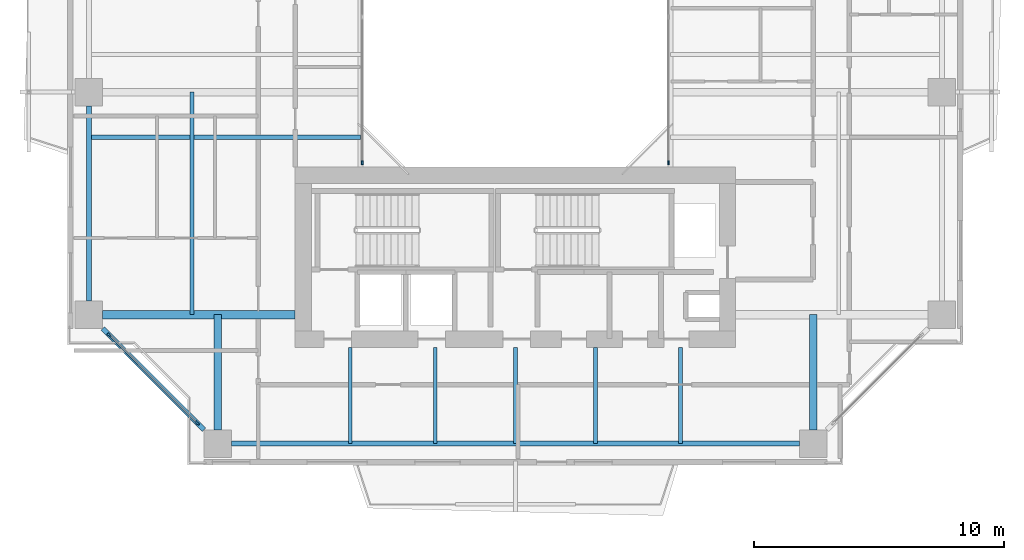
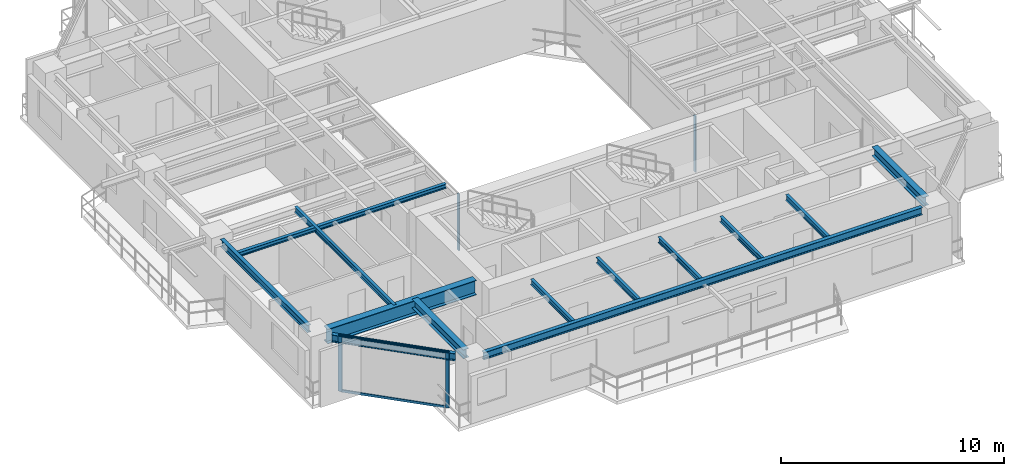
# One storey, part 2 of 17: 13 beams, 6 members, 3 elements without a shape of their own.
"""IFC4 building model written with IfcOpenShell, lengths in metres."""

from ifc_helpers import new_model, si_unit, direction, frame, origin, origin_2d, place, context, subcontext, project, spatial, rectangle, i_section, extrude, source, transform, mapped, material, layer, layer_set, material_profile, profile_set, type_object, element, aggregate, save


model = new_model("IFC4")

# Units and contexts
model_context = context("Model", 3, precision=1e-05, world=origin(), true_north=direction((0.0, 1.0)))
body_context = subcontext(model_context, "Body", "Model", "MODEL_VIEW")
ifc_project = project(units=[si_unit("LENGTHUNIT", "METRE"), si_unit("AREAUNIT", "SQUARE_METRE"), si_unit("VOLUMEUNIT", "CUBIC_METRE"), si_unit("PLANEANGLEUNIT", "RADIAN"), si_unit("MASSUNIT", "GRAM", prefix="KILO"), si_unit("THERMODYNAMICTEMPERATUREUNIT", "KELVIN"), si_unit("POWERUNIT", "WATT")], contexts=[model_context])

# Site, building, storey
site_placement = place(None, origin())
site = spatial("IfcSite", under=ifc_project, at=site_placement, CompositionType="ELEMENT")
building_placement = place(site_placement, origin())
building = spatial("IfcBuilding", under=site, at=building_placement, Name="Qiaomeng Ring Towers", CompositionType="ELEMENT")
storey_placement = place(building_placement, frame((0.0, 0.0, 129.5)))
storey = spatial("IfcBuildingStorey", under=building, at=storey_placement, Name="L37", CompositionType="ELEMENT", Elevation=129.5)

# Beams
ifc_material_1 = material(Name="Steel Q355B", Category="steel")
ifc_material_profile_1 = material_profile(ifc_material_1, i_section(OverallWidth=0.199951171875, OverallDepth=0.39990234375, WebThickness=0.008056640625, FlangeThickness=0.012939453125, FilletRadius=0.01611328125, at=origin_2d()), Name="HN 400x200x8x13")
ifc_profile_set_1 = profile_set([ifc_material_profile_1], Name="Steel Q355B")
beam_type_1 = type_object("IfcBeamType", Name="STR-BM-HN400", PredefinedType="SPANDREL", material=ifc_profile_set_1)
shared_shape_1 = source(origin(), body_context, "Body", "SweptSolid", [
    extrude(i_section(OverallWidth=0.199951171875, OverallDepth=0.39990234375, WebThickness=0.008056640625, FlangeThickness=0.012939453125, FilletRadius=0.01611328125, at=origin_2d()), origin(), (0.0, 0.0, 1.0), 22.7021484375),
])
beam_1_placement = place(storey_placement, frame((7.64892578125, 5.949951171875, 2.8701171875), z_axis=(1.0, 0.0, 0.0), x_axis=(0.0, 1.0, 0.0)))
element("IfcBeam", 1, at=beam_1_placement, inside=storey, type_object=beam_type_1, Name="L37 beam STR-SP-L37-T1-S1-S2", PredefinedType="SPANDREL", context=body_context, shape_type="MappedRepresentation", body=[
    mapped(shared_shape_1, transform((0.0, 0.0, 0.0), x_axis=(1.0, 0.0, 0.0), y_axis=(0.0, 1.0, 0.0), z_axis=(0.0, 0.0, 1.0), scale=1.0)),
])
shared_shape_2 = source(origin(), body_context, "Body", "SweptSolid", [
    extrude(i_section(OverallWidth=0.199951171875, OverallDepth=0.39990234375, WebThickness=0.008056640625, FlangeThickness=0.012939453125, FilletRadius=0.01611328125, at=origin_2d()), origin(), (0.0, 0.0, 1.0), 5.729736328125),
])
beam_2_placement = place(storey_placement, frame((2.499267578125, 10.55078125, 2.8701171875), z_axis=(0.707106781187, -0.707106781187, 0.0), x_axis=(0.707106781187, 0.707106781187, 0.0)))
element("IfcBeam", 2, at=beam_2_placement, inside=storey, type_object=beam_type_1, Name="L37 beam STR-SP-L37-T1-W1-S1", PredefinedType="SPANDREL", context=body_context, shape_type="MappedRepresentation", body=[
    mapped(shared_shape_2, transform((0.0, 0.0, 0.0), x_axis=(1.0, 0.0, 0.0), y_axis=(0.0, 1.0, 0.0), z_axis=(0.0, 0.0, 1.0), scale=1.0)),
])
shared_shape_3 = source(origin(), body_context, "Body", "SweptSolid", [
    extrude(i_section(OverallWidth=0.199951171875, OverallDepth=0.39990234375, WebThickness=0.008056640625, FlangeThickness=0.012939453125, FilletRadius=0.01611328125, at=origin_2d()), origin(), (0.0, 0.0, 1.0), 7.802001953125),
])
beam_3_placement = place(storey_placement, frame((1.949951171875, 19.450927734375, 2.8701171875), z_axis=(0.0, -1.0, 0.0), x_axis=(1.0, 0.0, 0.0)))
element("IfcBeam", 3, at=beam_3_placement, inside=storey, type_object=beam_type_1, Name="L37 beam STR-SP-L37-T1-W2-W1", PredefinedType="SPANDREL", context=body_context, shape_type="MappedRepresentation", body=[
    mapped(shared_shape_3, transform((0.0, 0.0, 0.0), x_axis=(1.0, 0.0, 0.0), y_axis=(0.0, 1.0, 0.0), z_axis=(0.0, 0.0, 1.0), scale=1.0)),
])
ifc_material_2 = material(Name="Steel Q390GJC", Category="steel")
ifc_material_profile_2 = material_profile(ifc_material_2, i_section(OverallWidth=0.35009765625, OverallDepth=0.800048828125, WebThickness=0.01611328125, FlangeThickness=0.028076171875, at=origin_2d()), Name="WH 800x350x16x28")
ifc_profile_set_2 = profile_set([ifc_material_profile_2], Name="Steel Q390GJC")
beam_type_2 = type_object("IfcBeamType", Name="STR-BM-WH800", PredefinedType="BEAM", material=ifc_profile_set_2)
shared_shape_4 = source(origin(), body_context, "Body", "SweptSolid", [
    extrude(i_section(OverallWidth=0.35009765625, OverallDepth=0.800048828125, WebThickness=0.01611328125, FlangeThickness=0.028076171875, at=origin_2d()), origin(), (0.0, 0.0, 1.0), 7.700927734375),
])
beam_4_placement = place(storey_placement, frame((2.4990234375, 11.10009765625, 2.669921875), z_axis=(1.0, 0.0, 0.0), x_axis=(0.0, 1.0, 0.0)))
element("IfcBeam", 4, at=beam_4_placement, inside=storey, type_object=beam_type_2, Name="L37 beam STR-BM-L37-T1-RAD-W1", PredefinedType="BEAM", context=body_context, shape_type="MappedRepresentation", body=[
    mapped(shared_shape_4, transform((0.0, 0.0, 0.0), x_axis=(1.0, 0.0, 0.0), y_axis=(0.0, 1.0, 0.0), z_axis=(0.0, 0.0, 1.0), scale=1.0)),
])
ifc_material_profile_3 = material_profile(ifc_material_1, i_section(OverallWidth=0.300048828125, OverallDepth=0.488037109375, WebThickness=0.010986328125, FlangeThickness=0.01806640625, FilletRadius=0.02587890625, at=origin_2d()), Name="HM 488x300x11x18")
ifc_profile_set_3 = profile_set([ifc_material_profile_3], Name="Steel Q355B")
beam_type_3 = type_object("IfcBeamType", Name="STR-BM-HM488", PredefinedType="BEAM", material=ifc_profile_set_3)
shared_shape_5 = source(origin(), body_context, "Body", "SweptSolid", [
    extrude(i_section(OverallWidth=0.300048828125, OverallDepth=0.488037109375, WebThickness=0.010986328125, FlangeThickness=0.01806640625, FilletRadius=0.02587890625, at=origin_2d()), origin(), (0.0, 0.0, 1.0), 4.60107421875),
])
for number, where, z_axis, x_axis, name in (
    (5, (7.10009765625, 6.4990234375, 2.825927734375), (0.0, 1.0, 0.0), (-1.0, 0.0, 0.0), "L37 beam STR-BM-L37-T1-RAD-S1"),
    (6, (30.89990234375, 6.4990234375, 2.825927734375), (0.0, 1.0, 0.0), (-1.0, 0.0, 0.0), "L37 beam STR-BM-L37-T1-RAD-S2"),
):
    element("IfcBeam", number, at=place(storey_placement, frame(where, z_axis=z_axis, x_axis=x_axis)), inside=storey, type_object=beam_type_3, Name=name, PredefinedType="BEAM", context=body_context, shape_type="MappedRepresentation", body=[
        mapped(shared_shape_5, transform((0.0, 0.0, 0.0), x_axis=(1.0, 0.0, 0.0), y_axis=(0.0, 1.0, 0.0), z_axis=(0.0, 0.0, 1.0), scale=1.0)),
    ])
ifc_material_profile_4 = material_profile(ifc_material_1, i_section(OverallWidth=0.14990234375, OverallDepth=0.300048828125, WebThickness=0.006591796875, FlangeThickness=0.009033203125, FilletRadius=0.012939453125, at=origin_2d()), Name="HN 300x150x6.5x9")
ifc_profile_set_4 = profile_set([ifc_material_profile_4], Name="Steel Q355B")
beam_type_4 = type_object("IfcBeamType", Name="STR-BM-HN300", PredefinedType="JOIST", material=ifc_profile_set_4)
shared_shape_6 = source(origin(), body_context, "Body", "SweptSolid", [
    extrude(i_section(OverallWidth=0.14990234375, OverallDepth=0.300048828125, WebThickness=0.006591796875, FlangeThickness=0.009033203125, FilletRadius=0.012939453125, at=origin_2d()), origin(), (0.0, 0.0, 1.0), 3.85009765625),
])
for number, where, z_axis, x_axis, name in (
    (7, (12.39990234375, 5.949951171875, 2.919921875), (0.0, 1.0, 0.0), (-1.0, 0.0, 0.0), "L37 beam STR-JST-L37-T1S-1"),
    (8, (15.800048828125, 5.949951171875, 2.919921875), (0.0, 1.0, 0.0), (-1.0, 0.0, 0.0), "L37 beam STR-JST-L37-T1S-2"),
    (9, (19.0, 5.949951171875, 2.919921875), (0.0, 1.0, 0.0), (-1.0, 0.0, 0.0), "L37 beam STR-JST-L37-T1S-3"),
    (10, (22.199951171875, 5.949951171875, 2.919921875), (0.0, 1.0, 0.0), (-1.0, 0.0, 0.0), "L37 beam STR-JST-L37-T1S-4"),
    (11, (25.60009765625, 5.949951171875, 2.919921875), (0.0, 1.0, 0.0), (-1.0, 0.0, 0.0), "L37 beam STR-JST-L37-T1S-5"),
):
    element("IfcBeam", number, at=place(storey_placement, frame(where, z_axis=z_axis, x_axis=x_axis)), inside=storey, type_object=beam_type_4, Name=name, PredefinedType="JOIST", context=body_context, shape_type="MappedRepresentation", body=[
        mapped(shared_shape_6, transform((0.0, 0.0, 0.0), x_axis=(1.0, 0.0, 0.0), y_axis=(0.0, 1.0, 0.0), z_axis=(0.0, 0.0, 1.0), scale=1.0)),
    ])
ifc_material_profile_5 = material_profile(ifc_material_1, i_section(OverallWidth=0.175048828125, OverallDepth=0.243896484375, WebThickness=0.007080078125, FlangeThickness=0.010986328125, FilletRadius=0.01611328125, at=origin_2d()), Name="HM 244x175x7x11")
ifc_profile_set_5 = profile_set([ifc_material_profile_5], Name="Steel Q355B")
beam_type_5 = type_object("IfcBeamType", Name="STR-BM-HM244", PredefinedType="JOIST", material=ifc_profile_set_5)
shared_shape_7 = source(origin(), body_context, "Body", "SweptSolid", [
    extrude(i_section(OverallWidth=0.175048828125, OverallDepth=0.243896484375, WebThickness=0.007080078125, FlangeThickness=0.010986328125, FilletRadius=0.01611328125, at=origin_2d()), origin(), (0.0, 0.0, 1.0), 10.85009765625),
])
beam_5_placement = place(storey_placement, frame((1.949951171875, 18.199951171875, 2.947998046875), z_axis=(1.0, 0.0, 0.0), x_axis=(0.0, 1.0, 0.0)))
element("IfcBeam", 12, at=beam_5_placement, inside=storey, type_object=beam_type_5, Name="L37 beam STR-JST-L37-T1W-1", PredefinedType="JOIST", context=body_context, shape_type="MappedRepresentation", body=[
    mapped(shared_shape_7, transform((0.0, 0.0, 0.0), x_axis=(1.0, 0.0, 0.0), y_axis=(0.0, 1.0, 0.0), z_axis=(0.0, 0.0, 1.0), scale=1.0)),
])
shared_shape_8 = source(origin(), body_context, "Body", "SweptSolid", [
    extrude(i_section(OverallWidth=0.14990234375, OverallDepth=0.300048828125, WebThickness=0.006591796875, FlangeThickness=0.009033203125, FilletRadius=0.012939453125, at=origin_2d()), origin(), (0.0, 0.0, 1.0), 8.89990234375),
])
beam_6_placement = place(storey_placement, frame((6.074951171875, 11.10009765625, 2.919921875), z_axis=(0.0, 1.0, 0.0), x_axis=(-1.0, 0.0, 0.0)))
element("IfcBeam", 13, at=beam_6_placement, inside=storey, type_object=beam_type_4, Name="L37 beam STR-JST-L37-T1C-WS", PredefinedType="JOIST", context=body_context, shape_type="MappedRepresentation", body=[
    mapped(shared_shape_8, transform((0.0, 0.0, 0.0), x_axis=(1.0, 0.0, 0.0), y_axis=(0.0, 1.0, 0.0), z_axis=(0.0, 0.0, 1.0), scale=1.0)),
])

# Curtain wall, member
ifc_material_3 = material(Name="Fluorocarbon dark-grey aluminium", Category="aluminium")
ifc_layer_1 = layer(ifc_material_3, 0.139892578125, Name="Fluorocarbon dark-grey aluminium")
ifc_layer_set_1 = layer_set([ifc_layer_1], Name="Fluorocarbon dark-grey aluminium")
curtain_wall_type_1 = type_object("IfcCurtainWallType", Name="ARC-CW-4", PredefinedType="NOTDEFINED", material=ifc_layer_set_1)
curtain_wall_1_placement = place(storey_placement, origin())
curtain_wall_1 = element("IfcCurtainWall", 14, at=curtain_wall_1_placement, inside=storey, type_object=curtain_wall_type_1, Name="L37 Curtain Wall CW4", PredefinedType="NOTDEFINED")
ifc_material_profile_6 = material_profile(ifc_material_3, rectangle(XDim=0.06494140625, YDim=0.159912109375, at=origin_2d()), Name="ALU MULL 65x160")
ifc_profile_set_6 = profile_set([ifc_material_profile_6], Name="Fluorocarbon dark-grey aluminium")
member_type_1 = type_object("IfcMemberType", Name="ARC-CWM-140", PredefinedType="MULLION", material=ifc_profile_set_6)
shared_shape_9 = source(origin(), body_context, "Body", "SweptSolid", [
    extrude(rectangle(XDim=0.06494140625, YDim=0.159912109375, at=origin_2d()), origin(), (0.0, 0.0, 1.0), 3.070068359375),
])
member_1_placement = place(storey_placement, frame((12.8798828125, 17.1826171875, 0.0), z_axis=(0.0, 0.0, 1.0), x_axis=(-1.0, 0.0, 0.0)))
member_1 = element("IfcMember", 15, at=member_1_placement, type_object=member_type_1, Name="CW4 mullion 1", PredefinedType="MULLION", context=body_context, shape_type="MappedRepresentation", body=[
    mapped(shared_shape_9, transform((0.0, 0.0, 0.0), x_axis=(1.0, 0.0, 0.0), y_axis=(0.0, 1.0, 0.0), z_axis=(0.0, 0.0, 1.0), scale=1.0)),
])
aggregate(curtain_wall_1, [member_1])

curtain_wall_2_placement = place(storey_placement, origin())
curtain_wall_2 = element("IfcCurtainWall", 16, at=curtain_wall_2_placement, inside=storey, type_object=curtain_wall_type_1, Name="L37 Curtain Wall CW4", PredefinedType="NOTDEFINED")
member_2_placement = place(storey_placement, frame((25.1201171875, 17.1826171875, 0.0), z_axis=(0.0, 0.0, 1.0), x_axis=(-1.0, 0.0, 0.0)))
member_2 = element("IfcMember", 17, at=member_2_placement, type_object=member_type_1, Name="CW4 mullion 1", PredefinedType="MULLION", context=body_context, shape_type="MappedRepresentation", body=[
    mapped(shared_shape_9, transform((0.0, 0.0, 0.0), x_axis=(1.0, 0.0, 0.0), y_axis=(0.0, 1.0, 0.0), z_axis=(0.0, 0.0, 1.0), scale=1.0)),
])
aggregate(curtain_wall_2, [member_2])

# Curtain wall, members
ifc_layer_2 = layer(ifc_material_3, 0.14990234375, Name="Fluorocarbon dark-grey aluminium")
ifc_layer_set_2 = layer_set([ifc_layer_2], Name="Fluorocarbon dark-grey aluminium")
curtain_wall_type_2 = type_object("IfcCurtainWallType", Name="ARC-CW-3", PredefinedType="NOTDEFINED", material=ifc_layer_set_2)
curtain_wall_3_placement = place(storey_placement, origin())
curtain_wall_3 = element("IfcCurtainWall", 18, at=curtain_wall_3_placement, inside=storey, type_object=curtain_wall_type_2, Name="L37 Curtain Wall CW3", PredefinedType="NOTDEFINED")
ifc_material_profile_7 = material_profile(ifc_material_3, rectangle(XDim=0.070068359375, YDim=0.179931640625, at=origin_2d()), Name="ALU MULL 70x180")
ifc_profile_set_7 = profile_set([ifc_material_profile_7], Name="Fluorocarbon dark-grey aluminium")
member_type_2 = type_object("IfcMemberType", Name="ARC-CWM-160", PredefinedType="MULLION", material=ifc_profile_set_7)
shared_shape_10 = source(origin(), body_context, "Body", "SweptSolid", [
    extrude(rectangle(XDim=0.070068359375, YDim=0.179931640625, at=origin_2d()), origin(), (0.0, 0.0, 1.0), 3.070068359375),
])
member_3_placement = place(storey_placement, frame((2.7646484375, 10.28515625, 0.0), z_axis=(0.0, 0.0, 1.0), x_axis=(0.707106781187, 0.707106781187, 0.0)))
member_3 = element("IfcMember", 19, at=member_3_placement, type_object=member_type_2, Name="CW3 mullion 1", PredefinedType="MULLION", context=body_context, shape_type="MappedRepresentation", body=[
    mapped(shared_shape_10, transform((0.0, 0.0, 0.0), x_axis=(1.0, 0.0, 0.0), y_axis=(0.0, 1.0, 0.0), z_axis=(0.0, 0.0, 1.0), scale=1.0)),
])
member_4_placement = place(storey_placement, frame((6.28515625, 6.7646484375, 0.0), z_axis=(0.0, 0.0, 1.0), x_axis=(0.707106781187, 0.707106781187, 0.0)))
member_4 = element("IfcMember", 20, at=member_4_placement, type_object=member_type_2, Name="CW3 mullion 2", PredefinedType="MULLION", context=body_context, shape_type="MappedRepresentation", body=[
    mapped(shared_shape_10, transform((0.0, 0.0, 0.0), x_axis=(1.0, 0.0, 0.0), y_axis=(0.0, 1.0, 0.0), z_axis=(0.0, 0.0, 1.0), scale=1.0)),
])
ifc_material_profile_8 = material_profile(ifc_material_3, rectangle(XDim=0.06494140625, YDim=0.1298828125, at=origin_2d()), Name="ALU TRAN 65x130")
ifc_profile_set_8 = profile_set([ifc_material_profile_8], Name="Fluorocarbon dark-grey aluminium")
member_type_3 = type_object("IfcMemberType", Name="ARC-CWT-120", PredefinedType="USERDEFINED", material=ifc_profile_set_8)
shared_shape_11 = source(origin(), body_context, "Body", "SweptSolid", [
    extrude(rectangle(XDim=0.06494140625, YDim=0.1298828125, at=origin_2d()), origin(), (0.0, 0.0, 1.0), 4.90869140625),
])
member_5_placement = place(storey_placement, frame((2.78955078125, 10.260498046875, 0.032470703125), z_axis=(0.707106781187, -0.707106781187, 0.0), x_axis=(0.707106781187, 0.707106781187, 0.0)))
member_5 = element("IfcMember", 21, at=member_5_placement, type_object=member_type_3, Name="CW3 transom 1.1", ObjectType="TRANSOM", PredefinedType="USERDEFINED", context=body_context, shape_type="MappedRepresentation", body=[
    mapped(shared_shape_11, transform((0.0, 0.0, 0.0), x_axis=(1.0, 0.0, 0.0), y_axis=(0.0, 1.0, 0.0), z_axis=(0.0, 0.0, 1.0), scale=1.0)),
])
member_6_placement = place(storey_placement, frame((2.78955078125, 10.260498046875, 3.03759765625), z_axis=(0.707106781187, -0.707106781187, 0.0), x_axis=(0.707106781187, 0.707106781187, 0.0)))
member_6 = element("IfcMember", 22, at=member_6_placement, type_object=member_type_3, Name="CW3 transom 1.2", ObjectType="TRANSOM", PredefinedType="USERDEFINED", context=body_context, shape_type="MappedRepresentation", body=[
    mapped(shared_shape_11, transform((0.0, 0.0, 0.0), x_axis=(1.0, 0.0, 0.0), y_axis=(0.0, 1.0, 0.0), z_axis=(0.0, 0.0, 1.0), scale=1.0)),
])
aggregate(curtain_wall_3, [member_3, member_4, member_5, member_6])

save(model, "model.ifc")
